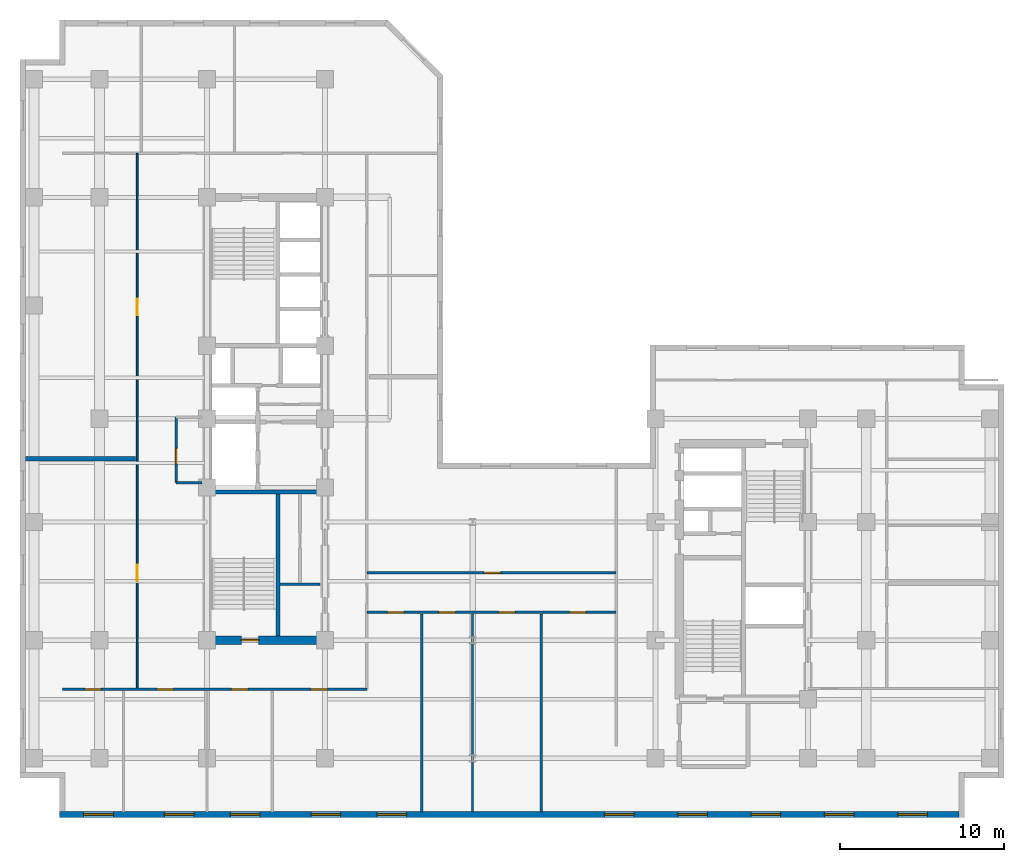
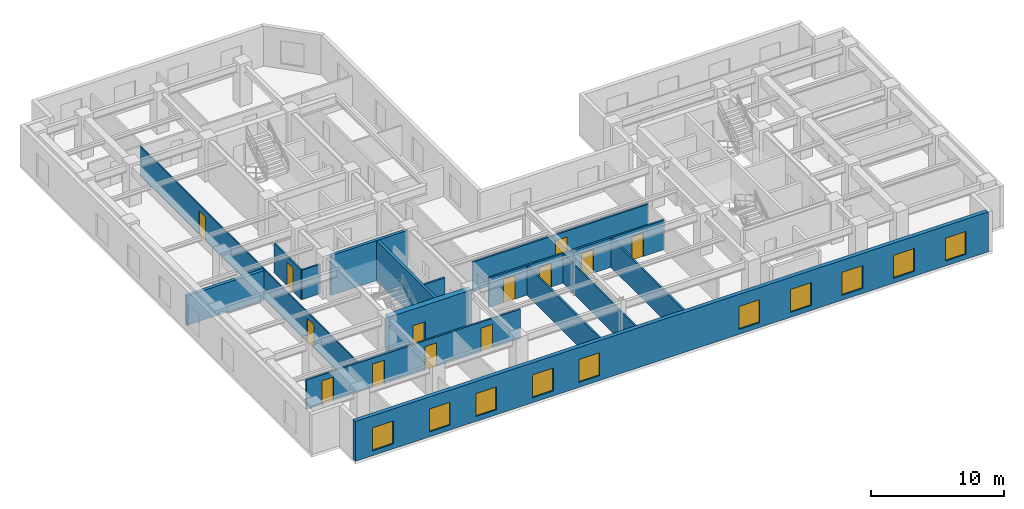
# One storey, part 3 of 10: 15 walls, 13 doors, 10 windows, 23 openings.
"""IFC4 building model written with IfcOpenShell, lengths in metres."""

import ifcopenshell
import ifcopenshell.guid

model = None  # the IFC model being written
_history = None  # IfcOwnerHistory: only IFC2X3 demands one
_inside = {}  # id of a spatial element -> (the spatial element, [elements in it])
_under = {}  # id of a project, library or spatial element -> (it, [spatial elements below it])
_declared = {}  # id of a project -> (the project, [libraries it declares])
_typed = {}  # id of a type object -> (the type object, [elements of that type])
_made_of = {}  # id of a material, layer set ... -> (it, [elements and type objects made of it])


def new_model(schema):
    """Start an empty IFC model of exactly this schema.

    Asked for "IFC4X3", IfcOpenShell would pick the latest addendum, in which some entities
    have other attributes; the version numbers below select the first issue.
    IFC2X3 requires an IfcOwnerHistory on every rooted entity: one is made here for all.
    """
    global model, _history
    if schema == "IFC4X3":
        model = ifcopenshell.file(schema_version=(4, 3, 0, 0))
    else:
        model = ifcopenshell.file(schema=schema)
    _inside.clear()
    _under.clear()
    _declared.clear()
    _typed.clear()
    _made_of.clear()
    _history = None
    if model.schema == "IFC2X3":
        org = make("IfcOrganization", Name="unknown")
        user = make(
            "IfcPersonAndOrganization",
            ThePerson=make("IfcPerson", FamilyName="unknown"),
            TheOrganization=org,
        )
        app = make(
            "IfcApplication",
            ApplicationDeveloper=org,
            Version="unknown",
            ApplicationFullName="unknown",
            ApplicationIdentifier="unknown",
        )
        _history = make(
            "IfcOwnerHistory",
            OwningUser=user,
            OwningApplication=app,
            ChangeAction="ADDED",
            CreationDate=0,
        )
    return model


def make(cls, **values):
    """One entity of the class cls with the attributes given. An attribute that is None is left unset."""
    return model.create_entity(
        cls, **{name: value for name, value in values.items() if value is not None}
    )


def entity(cls, *values):
    """Any entity or typed value of the class cls, its attributes in the order of the schema. None: left unset."""
    e = model.create_entity(cls)
    for i, value in enumerate(values):
        if value is not None:
            e[i] = value
    return e


def rooted(cls, **values):
    """An entity with a GlobalId (a new one), such as an element, a storey or a relation."""
    return make(cls, GlobalId=ifcopenshell.guid.new(), OwnerHistory=_history, **values)


def si_unit(unit_type, name, prefix=None):
    """IfcSIUnit, for example si_unit("LENGTHUNIT", "METRE", prefix="MILLI")."""
    return make("IfcSIUnit", UnitType=unit_type, Prefix=prefix, Name=name)


def converted_unit(unit_type, name, factor, base, dimensions=None, offset=None):
    """IfcConversionBasedUnit, such as the inch: factor (a typed value) times the base unit."""
    return make(
        "IfcConversionBasedUnit"
        if offset is None
        else "IfcConversionBasedUnitWithOffset",
        ConversionOffset=offset,
        Dimensions=None
        if dimensions is None
        else entity("IfcDimensionalExponents", *dimensions),
        UnitType=unit_type,
        Name=name,
        ConversionFactor=make(
            "IfcMeasureWithUnit", ValueComponent=factor, UnitComponent=base
        ),
    )


def assignment(units):
    """IfcUnitAssignment: the units of a project."""
    return None if units is None else make("IfcUnitAssignment", Units=units)


def point(xyz):
    """IfcCartesianPoint."""
    return None if xyz is None else make("IfcCartesianPoint", Coordinates=xyz)


def direction(xyz):
    """IfcDirection."""
    return None if xyz is None else make("IfcDirection", DirectionRatios=xyz)


def frame(location, z_axis=None, x_axis=None):
    """IfcAxis2Placement3D, a coordinate frame: its origin and axes. An axis left out is left unset."""
    return make(
        "IfcAxis2Placement3D",
        Location=point(location),
        Axis=direction(z_axis),
        RefDirection=direction(x_axis),
    )


def frame_2d(location, x_axis=None):
    """IfcAxis2Placement2D, a coordinate frame in the plane: its origin and x axis."""
    return make(
        "IfcAxis2Placement2D", Location=point(location), RefDirection=direction(x_axis)
    )


def origin_with_axes():
    """The frame at (0, 0, 0) with the z axis (0, 0, 1) and the x axis (1, 0, 0) written out."""
    return frame((0.0, 0.0, 0.0), z_axis=(0.0, 0.0, 1.0), x_axis=(1.0, 0.0, 0.0))


def origin_2d_with_axis():
    """The frame at (0, 0) in the plane with the x axis (1, 0) written out."""
    return frame_2d((0.0, 0.0), x_axis=(1.0, 0.0))


def place(relative_to, where):
    """IfcLocalPlacement: puts the frame where relative to a parent placement (None: the world)."""
    return make(
        "IfcLocalPlacement", PlacementRelTo=relative_to, RelativePlacement=where
    )


def context(
    kind, dimensions, precision=None, world=None, true_north=None, identifier=None
):
    """IfcGeometricRepresentationContext, for example the 3D "Model" context."""
    return make(
        "IfcGeometricRepresentationContext",
        ContextIdentifier=identifier,
        ContextType=kind,
        CoordinateSpaceDimension=dimensions,
        Precision=precision,
        WorldCoordinateSystem=world,
        TrueNorth=true_north,
    )


def subcontext(parent, identifier, kind, view, scale=None):
    """IfcGeometricRepresentationSubContext, for example "Body" below "Model"."""
    return make(
        "IfcGeometricRepresentationSubContext",
        ContextIdentifier=identifier,
        ContextType=kind,
        ParentContext=parent,
        TargetScale=scale,
        TargetView=view,
    )


def project(units=None, contexts=None):
    """IfcProject with its units and contexts."""
    return rooted(
        "IfcProject",
        Name="project",
        RepresentationContexts=contexts,
        UnitsInContext=assignment(units),
    )


def spatial(cls, under=None, at=None, **own):
    """A site, building, storey or space (cls), placed at a placement, below another one or the project."""
    s = rooted(cls, ObjectPlacement=at, **own)
    if under is not None:
        _under.setdefault(under.id(), (under, []))[1].append(s)
    return s


def polyline(points):
    """IfcPolyline through the points."""
    return make("IfcPolyline", Points=[point(p) for p in points])


def profile(cls, at=None, kind="AREA", **sizes):
    """A parametric profile (cls). Its sizes go by their IFC names, for example OverallWidth=200.0."""
    return make(cls, ProfileType=kind, Position=at, **sizes)


def rectangle(**sizes):
    """IfcRectangleProfileDef."""
    return profile("IfcRectangleProfileDef", **sizes)


def outline(outer, holes=None, kind="AREA"):
    """IfcArbitraryClosedProfileDef: a profile drawn as a closed curve; with holes, ...WithVoids."""
    if holes is None:
        return make("IfcArbitraryClosedProfileDef", ProfileType=kind, OuterCurve=outer)
    return make(
        "IfcArbitraryProfileDefWithVoids",
        ProfileType=kind,
        OuterCurve=outer,
        InnerCurves=holes,
    )


def extrude(swept, where, along, depth):
    """IfcExtrudedAreaSolid: the profile swept, set in the frame where, extruded along a direction by depth."""
    return make(
        "IfcExtrudedAreaSolid",
        SweptArea=swept,
        Position=where,
        ExtrudedDirection=direction(along),
        Depth=depth,
    )


def shape(context_of_items, identifier, shape_type, items):
    """IfcShapeRepresentation: the items that make up one representation, for example the "Body"."""
    return make(
        "IfcShapeRepresentation",
        ContextOfItems=context_of_items,
        RepresentationIdentifier=identifier,
        RepresentationType=shape_type,
        Items=items,
    )


def material(Name=None, Category=None):
    """IfcMaterial."""
    return make("IfcMaterial", Name=Name, Category=Category)


def layer(
    of_material, thickness, ventilated=None, Name=None, Category=None, Priority=None
):
    """IfcMaterialLayer: one layer of a wall or slab, of a material (None: an air gap)."""
    return make(
        "IfcMaterialLayer",
        Material=of_material,
        LayerThickness=thickness,
        IsVentilated=ventilated,
        Name=Name,
        Category=Category,
        Priority=Priority,
    )


def layer_set(layers, Name=None):
    """IfcMaterialLayerSet."""
    return make("IfcMaterialLayerSet", MaterialLayers=layers, LayerSetName=Name)


def made_of(thing, what):
    """Note that an element or type object is made of a material, layer set ...; save() writes the relation."""
    if what is not None:
        _made_of.setdefault(what.id(), (what, []))[1].append(thing)
    return thing


def type_object(cls, material=None, **own):
    """A type object (cls), such as IfcWallType, which elements share."""
    return made_of(rooted(cls, **own), material)


def element(
    cls,
    number,
    at=None,
    inside=None,
    cuts=None,
    type_object=None,
    material=None,
    context=None,
    identifier="Body",
    shape_type=None,
    held_by="IfcProductDefinitionShape",
    body=None,
    shapes=None,
    **own,
):
    """One element of the class cls, such as IfcWall. Its Tag is "e" and its number.

    at: its placement. inside: the storey or other place that contains it. cuts: it is an
    opening in that element (IfcRelVoidsElement). A single representation is given by context,
    identifier, shape_type and body (its items); several are given by shapes. held_by: the class
    of the entity that holds the representations. save() writes the other relations.
    """
    e = rooted(cls, Tag="e%d" % number, ObjectPlacement=at, **own)
    if body is not None:
        shapes = [shape(context, identifier, shape_type, body)]
    if shapes is not None:
        e.Representation = make(held_by, Representations=shapes)
    if inside is not None:
        _inside.setdefault(inside.id(), (inside, []))[1].append(e)
    if cuts is not None:
        rooted(
            "IfcRelVoidsElement", RelatingBuildingElement=cuts, RelatedOpeningElement=e
        )
    if type_object is not None:
        _typed.setdefault(type_object.id(), (type_object, []))[1].append(e)
    return made_of(e, material)


def fill(opening, filler):
    """IfcRelFillsElement: the door or window that sits in an opening."""
    return rooted(
        "IfcRelFillsElement",
        RelatingOpeningElement=opening,
        RelatedBuildingElement=filler,
    )


def aggregate(whole, parts):
    """IfcRelAggregates: a whole, such as a stair, and the parts it consists of."""
    return rooted("IfcRelAggregates", RelatingObject=whole, RelatedObjects=parts)


def save(model, path):
    """Write the relations noted so far, then the file.

    IfcRelAggregates (storeys below a building ...), IfcRelContainedInSpatialStructure (elements
    in a storey), IfcRelDefinesByType, IfcRelAssociatesMaterial and IfcRelDeclares: one each for
    every whole, place, type object, material and project.
    """
    for whole, parts in _under.values():
        aggregate(whole, parts)
    for where, things in _inside.values():
        rooted(
            "IfcRelContainedInSpatialStructure",
            RelatedElements=things,
            RelatingStructure=where,
        )
    for kind, things in _typed.values():
        rooted("IfcRelDefinesByType", RelatedObjects=things, RelatingType=kind)
    for what, things in _made_of.values():
        rooted("IfcRelAssociatesMaterial", RelatedObjects=things, RelatingMaterial=what)
    for by, libraries in _declared.values():
        rooted("IfcRelDeclares", RelatingContext=by, RelatedDefinitions=libraries)
    model.write(path)


model = new_model("IFC4")

# Units and contexts
model_context = context("Model", 3, precision=1e-05, world=origin_with_axes(), true_north=direction((0.0, 1.0)))
body_context = subcontext(model_context, "Body", "Model", "MODEL_VIEW")
ifc_project = project(units=[si_unit("LENGTHUNIT", "METRE"), si_unit("AREAUNIT", "SQUARE_METRE"), si_unit("VOLUMEUNIT", "CUBIC_METRE"), converted_unit("PLANEANGLEUNIT", "DEGREE", entity("IfcPlaneAngleMeasure", 0.017453292519943295), si_unit("PLANEANGLEUNIT", "RADIAN"), dimensions=[0, 0, 0, 0, 0, 0, 0]), si_unit("MASSUNIT", "GRAM", prefix="KILO"), si_unit("THERMODYNAMICTEMPERATUREUNIT", "KELVIN")], contexts=[model_context])

# Site, building, storey
site_placement = place(None, origin_with_axes())
site = spatial("IfcSite", under=ifc_project, at=site_placement, CompositionType="ELEMENT")
building_placement = place(site_placement, origin_with_axes())
building = spatial("IfcBuilding", under=site, at=building_placement, Name="Varnlund Millrace Tower", CompositionType="ELEMENT")
storey_placement = place(building_placement, frame((0.0, 0.0, 179.7), z_axis=(0.0, 0.0, 1.0), x_axis=(1.0, 0.0, 0.0)))
storey = spatial("IfcBuildingStorey", under=building, at=storey_placement, Name="L44", CompositionType="ELEMENT", Elevation=179.7)

# Wall, opening, door
ifc_material_1 = material(Name="Concrete C70/85", Category="concrete")
ifc_layer_1 = layer(ifc_material_1, 0.5, Name="Concrete C70/85")
ifc_layer_set_1 = layer_set([ifc_layer_1], Name="Concrete C70/85")
wall_type_1 = type_object("IfcWallType", Name="Type-CoreWall-Shear-500-C70", PredefinedType="SHEAR", material=ifc_layer_set_1)
wall_1_placement = place(storey_placement, frame((11.4, 10.8, 0.0), z_axis=(0.0, 0.0, 1.0), x_axis=(1.0, 0.0, 0.0)))
wall_1 = element("IfcWall", 1, at=wall_1_placement, inside=storey, type_object=wall_type_1, Name="Type-CoreWall-Shear-500-C70", PredefinedType="SHEAR", context=body_context, shape_type="SweptSolid", body=[
    extrude(outline(polyline([(0.0, -0.25), (7.2, -0.25), (7.2, 0.25), (0.0, 0.25), (0.0, -0.25)])), origin_with_axes(), (0.0, 0.0, 1.0), 3.66),
])
opening_1_placement = place(wall_1_placement, frame((2.625, 0.0, 0.0), z_axis=(0.0, 0.0, 1.0), x_axis=(1.0, 0.0, 0.0)))
opening_1 = element("IfcOpeningElement", 2, at=opening_1_placement, cuts=wall_1, Name="Opening L44:DR-STA1", PredefinedType="OPENING", context=body_context, shape_type="SweptSolid", body=[
    extrude(rectangle(XDim=1.05, YDim=0.52, at=origin_2d_with_axis()), origin_with_axes(), (0.0, 0.0, 1.0), 2.15),
])
ifc_material_2 = material(Name="Fire-rated hollow steel door", Category="steel")
door_type_1 = type_object("IfcDoorType", Name="Type-FireDoor-Stair-1050X2150", OperationType="NOTDEFINED", PredefinedType="DOOR", material=ifc_material_2)
door_1_placement = place(wall_1_placement, frame((2.625, 0.0, 0.0), z_axis=(0.0, 0.0, 1.0), x_axis=(1.0, 0.0, 0.0)))
door_1 = element("IfcDoor", 3, at=door_1_placement, inside=storey, type_object=door_type_1, Name="Type-FireDoor-Stair-1050X2150", OperationType="SINGLE_SWING_LEFT", OverallHeight=2.15, OverallWidth=1.05, PredefinedType="DOOR", context=body_context, shape_type="SweptSolid", body=[
    extrude(rectangle(XDim=1.05, YDim=0.09, at=origin_2d_with_axis()), origin_with_axes(), (0.0, 0.0, 1.0), 2.15),
])
fill(opening_1, door_1)

# Wall, openings, windows
ifc_material_3 = material(Name="Precast concrete C50/60", Category="concrete")
ifc_layer_2 = layer(ifc_material_3, 0.34, Name="Precast concrete C50/60")
ifc_layer_set_2 = layer_set([ifc_layer_2], Name="Precast concrete C50/60")
wall_type_2 = type_object("IfcWallType", Name="Type-ExtWall-Precast-Upper-340", PredefinedType="SOLIDWALL", material=ifc_layer_set_2)
wall_2_placement = place(storey_placement, frame((57.26, 0.17, 0.0), z_axis=(0.0, 0.0, 1.0), x_axis=(-1.0, 0.0, 0.0)))
wall_2 = element("IfcWall", 4, at=wall_2_placement, inside=storey, type_object=wall_type_2, Name="Type-ExtWall-Precast-Upper-340", PredefinedType="SOLIDWALL", context=body_context, shape_type="SweptSolid", body=[
    extrude(outline(polyline([(0.0, -0.17), (54.86, -0.17), (54.86, 0.17), (0.0, 0.17), (0.0, -0.17)])), origin_with_axes(), (0.0, 0.0, 1.0), 3.66),
])
opening_2_placement = place(wall_2_placement, frame((2.836, 0.0, 0.45), z_axis=(0.0, 0.0, 1.0), x_axis=(1.0, 0.0, 0.0)))
opening_2 = element("IfcOpeningElement", 5, at=opening_2_placement, cuts=wall_2, Name="Opening L44:WN-06", PredefinedType="OPENING", context=body_context, shape_type="SweptSolid", body=[
    extrude(rectangle(XDim=1.8, YDim=0.36, at=origin_2d_with_axis()), origin_with_axes(), (0.0, 0.0, 1.0), 2.1),
])
opening_3_placement = place(wall_2_placement, frame((7.307, 0.0, 0.45), z_axis=(0.0, 0.0, 1.0), x_axis=(1.0, 0.0, 0.0)))
opening_3 = element("IfcOpeningElement", 6, at=opening_3_placement, cuts=wall_2, Name="Opening L44:WN-07", PredefinedType="OPENING", context=body_context, shape_type="SweptSolid", body=[
    extrude(rectangle(XDim=1.8, YDim=0.36, at=origin_2d_with_axis()), origin_with_axes(), (0.0, 0.0, 1.0), 2.1),
])
opening_4_placement = place(wall_2_placement, frame((11.779, 0.0, 0.45), z_axis=(0.0, 0.0, 1.0), x_axis=(1.0, 0.0, 0.0)))
opening_4 = element("IfcOpeningElement", 7, at=opening_4_placement, cuts=wall_2, Name="Opening L44:WN-08", PredefinedType="OPENING", context=body_context, shape_type="SweptSolid", body=[
    extrude(rectangle(XDim=1.8, YDim=0.36, at=origin_2d_with_axis()), origin_with_axes(), (0.0, 0.0, 1.0), 2.1),
])
opening_5_placement = place(wall_2_placement, frame((16.251, 0.0, 0.45), z_axis=(0.0, 0.0, 1.0), x_axis=(1.0, 0.0, 0.0)))
opening_5 = element("IfcOpeningElement", 8, at=opening_5_placement, cuts=wall_2, Name="Opening L44:WN-09", PredefinedType="OPENING", context=body_context, shape_type="SweptSolid", body=[
    extrude(rectangle(XDim=1.8, YDim=0.36, at=origin_2d_with_axis()), origin_with_axes(), (0.0, 0.0, 1.0), 2.1),
])
opening_6_placement = place(wall_2_placement, frame((20.723, 0.0, 0.45), z_axis=(0.0, 0.0, 1.0), x_axis=(1.0, 0.0, 0.0)))
opening_6 = element("IfcOpeningElement", 9, at=opening_6_placement, cuts=wall_2, Name="Opening L44:WN-10", PredefinedType="OPENING", context=body_context, shape_type="SweptSolid", body=[
    extrude(rectangle(XDim=1.8, YDim=0.36, at=origin_2d_with_axis()), origin_with_axes(), (0.0, 0.0, 1.0), 2.1),
])
opening_7_placement = place(wall_2_placement, frame((34.588, 0.0, 0.45), z_axis=(0.0, 0.0, 1.0), x_axis=(1.0, 0.0, 0.0)))
opening_7 = element("IfcOpeningElement", 10, at=opening_7_placement, cuts=wall_2, Name="Opening L44:WN-11", PredefinedType="OPENING", context=body_context, shape_type="SweptSolid", body=[
    extrude(rectangle(XDim=1.8, YDim=0.36, at=origin_2d_with_axis()), origin_with_axes(), (0.0, 0.0, 1.0), 2.1),
])
opening_8_placement = place(wall_2_placement, frame((38.609, 0.0, 0.45), z_axis=(0.0, 0.0, 1.0), x_axis=(1.0, 0.0, 0.0)))
opening_8 = element("IfcOpeningElement", 11, at=opening_8_placement, cuts=wall_2, Name="Opening L44:WN-12", PredefinedType="OPENING", context=body_context, shape_type="SweptSolid", body=[
    extrude(rectangle(XDim=1.8, YDim=0.36, at=origin_2d_with_axis()), origin_with_axes(), (0.0, 0.0, 1.0), 2.1),
])
opening_9_placement = place(wall_2_placement, frame((43.531, 0.0, 0.45), z_axis=(0.0, 0.0, 1.0), x_axis=(1.0, 0.0, 0.0)))
opening_9 = element("IfcOpeningElement", 12, at=opening_9_placement, cuts=wall_2, Name="Opening L44:WN-13", PredefinedType="OPENING", context=body_context, shape_type="SweptSolid", body=[
    extrude(rectangle(XDim=1.8, YDim=0.36, at=origin_2d_with_axis()), origin_with_axes(), (0.0, 0.0, 1.0), 2.1),
])
opening_10_placement = place(wall_2_placement, frame((47.553, 0.0, 0.45), z_axis=(0.0, 0.0, 1.0), x_axis=(1.0, 0.0, 0.0)))
opening_10 = element("IfcOpeningElement", 13, at=opening_10_placement, cuts=wall_2, Name="Opening L44:WN-14", PredefinedType="OPENING", context=body_context, shape_type="SweptSolid", body=[
    extrude(rectangle(XDim=1.8, YDim=0.36, at=origin_2d_with_axis()), origin_with_axes(), (0.0, 0.0, 1.0), 2.1),
])
opening_11_placement = place(wall_2_placement, frame((52.474, 0.0, 0.45), z_axis=(0.0, 0.0, 1.0), x_axis=(1.0, 0.0, 0.0)))
opening_11 = element("IfcOpeningElement", 14, at=opening_11_placement, cuts=wall_2, Name="Opening L44:WN-15", PredefinedType="OPENING", context=body_context, shape_type="SweptSolid", body=[
    extrude(rectangle(XDim=1.8, YDim=0.36, at=origin_2d_with_axis()), origin_with_axes(), (0.0, 0.0, 1.0), 2.1),
])
ifc_material_4 = material(Name="Argon low-e triple glazing in thermally broken bronze frame", Category="glass")
window_type = type_object("IfcWindowType", Name="Type-Window-Punched-1800X2100", PartitioningType="SINGLE_PANEL", PredefinedType="WINDOW", material=ifc_material_4)
window_1_placement = place(wall_2_placement, frame((2.836, 0.0, 0.45), z_axis=(0.0, 0.0, 1.0), x_axis=(1.0, 0.0, 0.0)))
window_1 = element("IfcWindow", 15, at=window_1_placement, inside=storey, type_object=window_type, Name="Type-Window-Punched-1800X2100", OverallHeight=2.1, OverallWidth=1.8, PredefinedType="WINDOW", context=body_context, shape_type="SweptSolid", body=[
    extrude(rectangle(XDim=1.8, YDim=0.09, at=origin_2d_with_axis()), origin_with_axes(), (0.0, 0.0, 1.0), 2.1),
])
fill(opening_2, window_1)
window_2_placement = place(wall_2_placement, frame((7.307, 0.0, 0.45), z_axis=(0.0, 0.0, 1.0), x_axis=(1.0, 0.0, 0.0)))
window_2 = element("IfcWindow", 16, at=window_2_placement, inside=storey, type_object=window_type, Name="Type-Window-Punched-1800X2100", OverallHeight=2.1, OverallWidth=1.8, PredefinedType="WINDOW", context=body_context, shape_type="SweptSolid", body=[
    extrude(rectangle(XDim=1.8, YDim=0.09, at=origin_2d_with_axis()), origin_with_axes(), (0.0, 0.0, 1.0), 2.1),
])
fill(opening_3, window_2)
window_3_placement = place(wall_2_placement, frame((11.779, 0.0, 0.45), z_axis=(0.0, 0.0, 1.0), x_axis=(1.0, 0.0, 0.0)))
window_3 = element("IfcWindow", 17, at=window_3_placement, inside=storey, type_object=window_type, Name="Type-Window-Punched-1800X2100", OverallHeight=2.1, OverallWidth=1.8, PredefinedType="WINDOW", context=body_context, shape_type="SweptSolid", body=[
    extrude(rectangle(XDim=1.8, YDim=0.09, at=origin_2d_with_axis()), origin_with_axes(), (0.0, 0.0, 1.0), 2.1),
])
fill(opening_4, window_3)
window_4_placement = place(wall_2_placement, frame((16.251, 0.0, 0.45), z_axis=(0.0, 0.0, 1.0), x_axis=(1.0, 0.0, 0.0)))
window_4 = element("IfcWindow", 18, at=window_4_placement, inside=storey, type_object=window_type, Name="Type-Window-Punched-1800X2100", OverallHeight=2.1, OverallWidth=1.8, PredefinedType="WINDOW", context=body_context, shape_type="SweptSolid", body=[
    extrude(rectangle(XDim=1.8, YDim=0.09, at=origin_2d_with_axis()), origin_with_axes(), (0.0, 0.0, 1.0), 2.1),
])
fill(opening_5, window_4)
window_5_placement = place(wall_2_placement, frame((20.723, 0.0, 0.45), z_axis=(0.0, 0.0, 1.0), x_axis=(1.0, 0.0, 0.0)))
window_5 = element("IfcWindow", 19, at=window_5_placement, inside=storey, type_object=window_type, Name="Type-Window-Punched-1800X2100", OverallHeight=2.1, OverallWidth=1.8, PredefinedType="WINDOW", context=body_context, shape_type="SweptSolid", body=[
    extrude(rectangle(XDim=1.8, YDim=0.09, at=origin_2d_with_axis()), origin_with_axes(), (0.0, 0.0, 1.0), 2.1),
])
fill(opening_6, window_5)
window_6_placement = place(wall_2_placement, frame((34.588, 0.0, 0.45), z_axis=(0.0, 0.0, 1.0), x_axis=(1.0, 0.0, 0.0)))
window_6 = element("IfcWindow", 20, at=window_6_placement, inside=storey, type_object=window_type, Name="Type-Window-Punched-1800X2100", OverallHeight=2.1, OverallWidth=1.8, PredefinedType="WINDOW", context=body_context, shape_type="SweptSolid", body=[
    extrude(rectangle(XDim=1.8, YDim=0.09, at=origin_2d_with_axis()), origin_with_axes(), (0.0, 0.0, 1.0), 2.1),
])
fill(opening_7, window_6)
window_7_placement = place(wall_2_placement, frame((38.609, 0.0, 0.45), z_axis=(0.0, 0.0, 1.0), x_axis=(1.0, 0.0, 0.0)))
window_7 = element("IfcWindow", 21, at=window_7_placement, inside=storey, type_object=window_type, Name="Type-Window-Punched-1800X2100", OverallHeight=2.1, OverallWidth=1.8, PredefinedType="WINDOW", context=body_context, shape_type="SweptSolid", body=[
    extrude(rectangle(XDim=1.8, YDim=0.09, at=origin_2d_with_axis()), origin_with_axes(), (0.0, 0.0, 1.0), 2.1),
])
fill(opening_8, window_7)
window_8_placement = place(wall_2_placement, frame((43.531, 0.0, 0.45), z_axis=(0.0, 0.0, 1.0), x_axis=(1.0, 0.0, 0.0)))
window_8 = element("IfcWindow", 22, at=window_8_placement, inside=storey, type_object=window_type, Name="Type-Window-Punched-1800X2100", OverallHeight=2.1, OverallWidth=1.8, PredefinedType="WINDOW", context=body_context, shape_type="SweptSolid", body=[
    extrude(rectangle(XDim=1.8, YDim=0.09, at=origin_2d_with_axis()), origin_with_axes(), (0.0, 0.0, 1.0), 2.1),
])
fill(opening_9, window_8)
window_9_placement = place(wall_2_placement, frame((47.553, 0.0, 0.45), z_axis=(0.0, 0.0, 1.0), x_axis=(1.0, 0.0, 0.0)))
window_9 = element("IfcWindow", 23, at=window_9_placement, inside=storey, type_object=window_type, Name="Type-Window-Punched-1800X2100", OverallHeight=2.1, OverallWidth=1.8, PredefinedType="WINDOW", context=body_context, shape_type="SweptSolid", body=[
    extrude(rectangle(XDim=1.8, YDim=0.09, at=origin_2d_with_axis()), origin_with_axes(), (0.0, 0.0, 1.0), 2.1),
])
fill(opening_10, window_9)
window_10_placement = place(wall_2_placement, frame((52.474, 0.0, 0.45), z_axis=(0.0, 0.0, 1.0), x_axis=(1.0, 0.0, 0.0)))
window_10 = element("IfcWindow", 24, at=window_10_placement, inside=storey, type_object=window_type, Name="Type-Window-Punched-1800X2100", OverallHeight=2.1, OverallWidth=1.8, PredefinedType="WINDOW", context=body_context, shape_type="SweptSolid", body=[
    extrude(rectangle(XDim=1.8, YDim=0.09, at=origin_2d_with_axis()), origin_with_axes(), (0.0, 0.0, 1.0), 2.1),
])
fill(opening_11, window_10)

# Walls
ifc_material_5 = material(Name="Double-stud STC-60 conference acoustic partition", Category="gypsum")
ifc_layer_3 = layer(ifc_material_5, 0.28, Name="Double-stud STC-60 conference acoustic partition")
ifc_layer_set_3 = layer_set([ifc_layer_3], Name="Double-stud STC-60 conference acoustic partition")
wall_type_3 = type_object("IfcWallType", Name="Type-Partition-Acoustic-280", PredefinedType="PARTITIONING", material=ifc_layer_set_3)
wall_3_placement = place(storey_placement, frame((0.335, 21.865, 0.0), z_axis=(0.0, 0.0, 1.0), x_axis=(1.0, 0.0, 0.0)))
element("IfcWall", 25, at=wall_3_placement, inside=storey, type_object=wall_type_3, Name="Type-Partition-Acoustic-280", PredefinedType="PARTITIONING", context=body_context, shape_type="SweptSolid", body=[
    extrude(outline(polyline([(0.0, -0.14), (6.695, -0.14), (6.695, 0.14), (0.0, 0.14), (0.0, -0.14)])), origin_with_axes(), (0.0, 0.0, 1.0), 2.7),
])
ifc_material_6 = material(Name="Fire-rated gypsum board on cold-formed steel framing", Category="steel")
ifc_layer_4 = layer(ifc_material_6, 0.16, Name="Fire-rated gypsum board on cold-formed steel framing")
ifc_layer_set_4 = layer_set([ifc_layer_4], Name="Fire-rated gypsum board on cold-formed steel framing")
wall_type_4 = type_object("IfcWallType", Name="Type-Partition-Corridor-160", PredefinedType="PARTITIONING", material=ifc_layer_set_4)
wall_4_placement = place(storey_placement, frame((15.84, 14.2, 0.0), z_axis=(0.0, 0.0, 1.0), x_axis=(1.0, 0.0, 0.0)))
element("IfcWall", 26, at=wall_4_placement, inside=storey, type_object=wall_type_4, Name="Type-Partition-Corridor-160", PredefinedType="PARTITIONING", context=body_context, shape_type="SweptSolid", body=[
    extrude(outline(polyline([(0.0, -0.08), (2.46, -0.08), (2.46, 0.08), (0.0, 0.08), (0.0, -0.08)])), origin_with_axes(), (0.0, 0.0, 1.0), 2.7),
])

# Wall, openings, doors
wall_5_placement = place(storey_placement, frame((2.6, 7.8, 0.0), z_axis=(0.0, 0.0, 1.0), x_axis=(1.0, 0.0, 0.0)))
wall_5 = element("IfcWall", 27, at=wall_5_placement, inside=storey, type_object=wall_type_4, Name="Type-Partition-Corridor-160", PredefinedType="PARTITIONING", context=body_context, shape_type="SweptSolid", body=[
    extrude(outline(polyline([(0.0, -0.08), (18.55, -0.08), (18.55, 0.08), (0.0, 0.08), (0.0, -0.08)])), origin_with_axes(), (0.0, 0.0, 1.0), 2.7),
])
opening_12_placement = place(wall_5_placement, frame((1.8505, 0.0, 0.0), z_axis=(0.0, 0.0, 1.0), x_axis=(1.0, 0.0, 0.0)))
opening_12 = element("IfcOpeningElement", 28, at=opening_12_placement, cuts=wall_5, Name="Opening L44:DR-WAS-01", PredefinedType="OPENING", context=body_context, shape_type="SweptSolid", body=[
    extrude(rectangle(XDim=1.0, YDim=0.18, at=origin_2d_with_axis()), origin_with_axes(), (0.0, 0.0, 1.0), 2.15),
])
opening_13_placement = place(wall_5_placement, frame((6.2555, 0.0, 0.0), z_axis=(0.0, 0.0, 1.0), x_axis=(1.0, 0.0, 0.0)))
opening_13 = element("IfcOpeningElement", 29, at=opening_13_placement, cuts=wall_5, Name="Opening L44:DR-WAS-02", PredefinedType="OPENING", context=body_context, shape_type="SweptSolid", body=[
    extrude(rectangle(XDim=1.0, YDim=0.18, at=origin_2d_with_axis()), origin_with_axes(), (0.0, 0.0, 1.0), 2.15),
])
opening_14_placement = place(wall_5_placement, frame((10.7945, 0.0, 0.0), z_axis=(0.0, 0.0, 1.0), x_axis=(1.0, 0.0, 0.0)))
opening_14 = element("IfcOpeningElement", 30, at=opening_14_placement, cuts=wall_5, Name="Opening L44:DR-WAS-03", PredefinedType="OPENING", context=body_context, shape_type="SweptSolid", body=[
    extrude(rectangle(XDim=1.0, YDim=0.18, at=origin_2d_with_axis()), origin_with_axes(), (0.0, 0.0, 1.0), 2.15),
])
opening_15_placement = place(wall_5_placement, frame((15.6445, 0.0, 0.0), z_axis=(0.0, 0.0, 1.0), x_axis=(1.0, 0.0, 0.0)))
opening_15 = element("IfcOpeningElement", 31, at=opening_15_placement, cuts=wall_5, Name="Opening L44:DR-WAS-04", PredefinedType="OPENING", context=body_context, shape_type="SweptSolid", body=[
    extrude(rectangle(XDim=1.0, YDim=0.18, at=origin_2d_with_axis()), origin_with_axes(), (0.0, 0.0, 1.0), 2.15),
])
ifc_material_7 = material(Name="Solid-core white oak and bronze frame door")
door_type_2 = type_object("IfcDoorType", Name="Type-IntDoor-Office-1000X2150", OperationType="NOTDEFINED", PredefinedType="DOOR", material=ifc_material_7)
door_2_placement = place(wall_5_placement, frame((1.8505, 0.0, 0.0), z_axis=(0.0, 0.0, 1.0), x_axis=(1.0, 0.0, 0.0)))
door_2 = element("IfcDoor", 32, at=door_2_placement, inside=storey, type_object=door_type_2, Name="Type-IntDoor-Office-1000X2150", OperationType="SINGLE_SWING_LEFT", OverallHeight=2.15, OverallWidth=1.0, PredefinedType="DOOR", context=body_context, shape_type="SweptSolid", body=[
    extrude(rectangle(XDim=1.0, YDim=0.09, at=origin_2d_with_axis()), origin_with_axes(), (0.0, 0.0, 1.0), 2.15),
])
fill(opening_12, door_2)
door_3_placement = place(wall_5_placement, frame((6.2555, 0.0, 0.0), z_axis=(0.0, 0.0, 1.0), x_axis=(1.0, 0.0, 0.0)))
door_3 = element("IfcDoor", 33, at=door_3_placement, inside=storey, type_object=door_type_2, Name="Type-IntDoor-Office-1000X2150", OperationType="SINGLE_SWING_RIGHT", OverallHeight=2.15, OverallWidth=1.0, PredefinedType="DOOR", context=body_context, shape_type="SweptSolid", body=[
    extrude(rectangle(XDim=1.0, YDim=0.09, at=origin_2d_with_axis()), origin_with_axes(), (0.0, 0.0, 1.0), 2.15),
])
fill(opening_13, door_3)
door_4_placement = place(wall_5_placement, frame((10.7945, 0.0, 0.0), z_axis=(0.0, 0.0, 1.0), x_axis=(1.0, 0.0, 0.0)))
door_4 = element("IfcDoor", 34, at=door_4_placement, inside=storey, type_object=door_type_2, Name="Type-IntDoor-Office-1000X2150", OperationType="SINGLE_SWING_LEFT", OverallHeight=2.15, OverallWidth=1.0, PredefinedType="DOOR", context=body_context, shape_type="SweptSolid", body=[
    extrude(rectangle(XDim=1.0, YDim=0.09, at=origin_2d_with_axis()), origin_with_axes(), (0.0, 0.0, 1.0), 2.15),
])
fill(opening_14, door_4)
door_5_placement = place(wall_5_placement, frame((15.6445, 0.0, 0.0), z_axis=(0.0, 0.0, 1.0), x_axis=(1.0, 0.0, 0.0)))
door_5 = element("IfcDoor", 35, at=door_5_placement, inside=storey, type_object=door_type_2, Name="Type-IntDoor-Office-1000X2150", OperationType="SINGLE_SWING_RIGHT", OverallHeight=2.15, OverallWidth=1.0, PredefinedType="DOOR", context=body_context, shape_type="SweptSolid", body=[
    extrude(rectangle(XDim=1.0, YDim=0.09, at=origin_2d_with_axis()), origin_with_axes(), (0.0, 0.0, 1.0), 2.15),
])
fill(opening_15, door_5)

wall_6_placement = place(storey_placement, frame((21.15, 12.5, 0.0), z_axis=(0.0, 0.0, 1.0), x_axis=(1.0, 0.0, 0.0)))
wall_6 = element("IfcWall", 36, at=wall_6_placement, inside=storey, type_object=wall_type_4, Name="Type-Partition-Corridor-160", PredefinedType="PARTITIONING", context=body_context, shape_type="SweptSolid", body=[
    extrude(outline(polyline([(0.0, -0.08), (15.2, -0.08), (15.2, 0.08), (0.0, 0.08), (0.0, -0.08)])), origin_with_axes(), (0.0, 0.0, 1.0), 2.7),
])
opening_16_placement = place(wall_6_placement, frame((1.761, 0.0, 0.0), z_axis=(0.0, 0.0, 1.0), x_axis=(1.0, 0.0, 0.0)))
opening_16 = element("IfcOpeningElement", 37, at=opening_16_placement, cuts=wall_6, Name="Opening L44:DR-KNS-01", PredefinedType="OPENING", context=body_context, shape_type="SweptSolid", body=[
    extrude(rectangle(XDim=1.0, YDim=0.18, at=origin_2d_with_axis()), origin_with_axes(), (0.0, 0.0, 1.0), 2.15),
])
opening_17_placement = place(wall_6_placement, frame((4.896, 0.0, 0.0), z_axis=(0.0, 0.0, 1.0), x_axis=(1.0, 0.0, 0.0)))
opening_17 = element("IfcOpeningElement", 38, at=opening_17_placement, cuts=wall_6, Name="Opening L44:DR-KNS-02", PredefinedType="OPENING", context=body_context, shape_type="SweptSolid", body=[
    extrude(rectangle(XDim=1.0, YDim=0.18, at=origin_2d_with_axis()), origin_with_axes(), (0.0, 0.0, 1.0), 2.15),
])
opening_18_placement = place(wall_6_placement, frame((8.536, 0.0, 0.0), z_axis=(0.0, 0.0, 1.0), x_axis=(1.0, 0.0, 0.0)))
opening_18 = element("IfcOpeningElement", 39, at=opening_18_placement, cuts=wall_6, Name="Opening L44:DR-KNS-03", PredefinedType="OPENING", context=body_context, shape_type="SweptSolid", body=[
    extrude(rectangle(XDim=1.0, YDim=0.18, at=origin_2d_with_axis()), origin_with_axes(), (0.0, 0.0, 1.0), 2.15),
])
opening_19_placement = place(wall_6_placement, frame((12.871, 0.0, 0.0), z_axis=(0.0, 0.0, 1.0), x_axis=(1.0, 0.0, 0.0)))
opening_19 = element("IfcOpeningElement", 40, at=opening_19_placement, cuts=wall_6, Name="Opening L44:DR-KNS-04", PredefinedType="OPENING", context=body_context, shape_type="SweptSolid", body=[
    extrude(rectangle(XDim=1.0, YDim=0.18, at=origin_2d_with_axis()), origin_with_axes(), (0.0, 0.0, 1.0), 2.15),
])
door_6_placement = place(wall_6_placement, frame((1.761, 0.0, 0.0), z_axis=(0.0, 0.0, 1.0), x_axis=(1.0, 0.0, 0.0)))
door_6 = element("IfcDoor", 41, at=door_6_placement, inside=storey, type_object=door_type_2, Name="Type-IntDoor-Office-1000X2150", OperationType="SINGLE_SWING_LEFT", OverallHeight=2.15, OverallWidth=1.0, PredefinedType="DOOR", context=body_context, shape_type="SweptSolid", body=[
    extrude(rectangle(XDim=1.0, YDim=0.09, at=origin_2d_with_axis()), origin_with_axes(), (0.0, 0.0, 1.0), 2.15),
])
fill(opening_16, door_6)
door_7_placement = place(wall_6_placement, frame((4.896, 0.0, 0.0), z_axis=(0.0, 0.0, 1.0), x_axis=(1.0, 0.0, 0.0)))
door_7 = element("IfcDoor", 42, at=door_7_placement, inside=storey, type_object=door_type_2, Name="Type-IntDoor-Office-1000X2150", OperationType="SINGLE_SWING_RIGHT", OverallHeight=2.15, OverallWidth=1.0, PredefinedType="DOOR", context=body_context, shape_type="SweptSolid", body=[
    extrude(rectangle(XDim=1.0, YDim=0.09, at=origin_2d_with_axis()), origin_with_axes(), (0.0, 0.0, 1.0), 2.15),
])
fill(opening_17, door_7)
door_8_placement = place(wall_6_placement, frame((8.536, 0.0, 0.0), z_axis=(0.0, 0.0, 1.0), x_axis=(1.0, 0.0, 0.0)))
door_8 = element("IfcDoor", 43, at=door_8_placement, inside=storey, type_object=door_type_2, Name="Type-IntDoor-Office-1000X2150", OperationType="SINGLE_SWING_LEFT", OverallHeight=2.15, OverallWidth=1.0, PredefinedType="DOOR", context=body_context, shape_type="SweptSolid", body=[
    extrude(rectangle(XDim=1.0, YDim=0.09, at=origin_2d_with_axis()), origin_with_axes(), (0.0, 0.0, 1.0), 2.15),
])
fill(opening_18, door_8)
door_9_placement = place(wall_6_placement, frame((12.871, 0.0, 0.0), z_axis=(0.0, 0.0, 1.0), x_axis=(1.0, 0.0, 0.0)))
door_9 = element("IfcDoor", 44, at=door_9_placement, inside=storey, type_object=door_type_2, Name="Type-IntDoor-Office-1000X2150", OperationType="SINGLE_SWING_RIGHT", OverallHeight=2.15, OverallWidth=1.0, PredefinedType="DOOR", context=body_context, shape_type="SweptSolid", body=[
    extrude(rectangle(XDim=1.0, YDim=0.09, at=origin_2d_with_axis()), origin_with_axes(), (0.0, 0.0, 1.0), 2.15),
])
fill(opening_19, door_9)

# Wall, opening, door
wall_7_placement = place(storey_placement, frame((21.15, 14.9, 0.0), z_axis=(0.0, 0.0, 1.0), x_axis=(1.0, 0.0, 0.0)))
wall_7 = element("IfcWall", 45, at=wall_7_placement, inside=storey, type_object=wall_type_4, Name="Type-Partition-Corridor-160", PredefinedType="PARTITIONING", context=body_context, shape_type="SweptSolid", body=[
    extrude(outline(polyline([(0.0, -0.08), (15.2, -0.08), (15.2, 0.08), (0.0, 0.08), (0.0, -0.08)])), origin_with_axes(), (0.0, 0.0, 1.0), 2.7),
])
opening_20_placement = place(wall_7_placement, frame((7.65, 0.0, 0.0), z_axis=(0.0, 0.0, 1.0), x_axis=(1.0, 0.0, 0.0)))
opening_20 = element("IfcOpeningElement", 46, at=opening_20_placement, cuts=wall_7, Name="Opening L44:DR-KN-01", PredefinedType="OPENING", context=body_context, shape_type="SweptSolid", body=[
    extrude(rectangle(XDim=1.0, YDim=0.18, at=origin_2d_with_axis()), origin_with_axes(), (0.0, 0.0, 1.0), 2.15),
])
door_10_placement = place(wall_7_placement, frame((7.65, 0.0, 0.0), z_axis=(0.0, 0.0, 1.0), x_axis=(1.0, 0.0, 0.0)))
door_10 = element("IfcDoor", 47, at=door_10_placement, inside=storey, type_object=door_type_2, Name="Type-IntDoor-Office-1000X2150", OperationType="SINGLE_SWING_LEFT", OverallHeight=2.15, OverallWidth=1.0, PredefinedType="DOOR", context=body_context, shape_type="SweptSolid", body=[
    extrude(rectangle(XDim=1.0, YDim=0.09, at=origin_2d_with_axis()), origin_with_axes(), (0.0, 0.0, 1.0), 2.15),
])
fill(opening_20, door_10)

# Walls
ifc_material_8 = material(Name="Acoustic STC-50 gypsum board partition", Category="gypsum")
ifc_layer_5 = layer(ifc_material_8, 0.15, Name="Acoustic STC-50 gypsum board partition")
ifc_layer_set_5 = layer_set([ifc_layer_5], Name="Acoustic STC-50 gypsum board partition")
wall_type_5 = type_object("IfcWallType", Name="Type-Partition-Demising-150", PredefinedType="PARTITIONING", material=ifc_layer_set_5)
for number, where, z_axis, x_axis, name in (
    (48, (24.492, 0.335, 0.0), (0.0, 0.0, 1.0), (0.0, 1.0, 0.0), "Type-Partition-Demising-150"),
    (49, (31.772, 0.335, 0.0), (0.0, 0.0, 1.0), (0.0, 1.0, 0.0), "Type-Partition-Demising-150"),
):
    element("IfcWall", number, at=place(storey_placement, frame(where, z_axis=z_axis, x_axis=x_axis)), inside=storey, type_object=wall_type_5, Name=name, PredefinedType="PARTITIONING", context=body_context, shape_type="SweptSolid", body=[
        extrude(outline(polyline([(0.0, -0.075), (12.045, -0.075), (12.045, 0.075), (0.0, 0.075), (0.0, -0.075)])), origin_with_axes(), (0.0, 0.0, 1.0), 2.7),
    ])

# Wall, openings, doors
ifc_material_9 = material(Name="Architectural bronze and acoustic glass office front", Category="glass")
ifc_layer_6 = layer(ifc_material_9, 0.1, Name="Architectural bronze and acoustic glass office front")
ifc_layer_set_6 = layer_set([ifc_layer_6], Name="Architectural bronze and acoustic glass office front")
wall_type_6 = type_object("IfcWallType", Name="Type-Partition-Glazed-100", PredefinedType="PARTITIONING", material=ifc_layer_set_6)
wall_8_placement = place(storey_placement, frame((7.15, 7.8, 0.0), z_axis=(0.0, 0.0, 1.0), x_axis=(0.0, 1.0, 0.0)))
wall_8 = element("IfcWall", 50, at=wall_8_placement, inside=storey, type_object=wall_type_6, Name="Type-Partition-Glazed-100", PredefinedType="PARTITIONING", context=body_context, shape_type="SweptSolid", body=[
    extrude(outline(polyline([(0.0, -0.05), (32.7, -0.05), (32.7, 0.05), (0.0, 0.05), (0.0, -0.05)])), origin_with_axes(), (0.0, 0.0, 1.0), 2.7),
])
opening_21_placement = place(wall_8_placement, frame((7.0975, 0.0, 0.0), z_axis=(0.0, 0.0, 1.0), x_axis=(1.0, 0.0, 0.0)))
opening_21 = element("IfcOpeningElement", 51, at=opening_21_placement, cuts=wall_8, Name="Opening L44:DR-W-01", PredefinedType="OPENING", context=body_context, shape_type="SweptSolid", body=[
    extrude(rectangle(XDim=1.0, YDim=0.12, at=origin_2d_with_axis()), origin_with_axes(), (0.0, 0.0, 1.0), 2.15),
])
opening_22_placement = place(wall_8_placement, frame((23.3175, 0.0, 0.0), z_axis=(0.0, 0.0, 1.0), x_axis=(1.0, 0.0, 0.0)))
opening_22 = element("IfcOpeningElement", 52, at=opening_22_placement, cuts=wall_8, Name="Opening L44:DR-W-02", PredefinedType="OPENING", context=body_context, shape_type="SweptSolid", body=[
    extrude(rectangle(XDim=1.0, YDim=0.12, at=origin_2d_with_axis()), origin_with_axes(), (0.0, 0.0, 1.0), 2.15),
])
door_11_placement = place(wall_8_placement, frame((7.0975, 0.0, 0.0), z_axis=(0.0, 0.0, 1.0), x_axis=(1.0, 0.0, 0.0)))
door_11 = element("IfcDoor", 53, at=door_11_placement, inside=storey, type_object=door_type_2, Name="Type-IntDoor-Office-1000X2150", OperationType="SINGLE_SWING_LEFT", OverallHeight=2.15, OverallWidth=1.0, PredefinedType="DOOR", context=body_context, shape_type="SweptSolid", body=[
    extrude(rectangle(XDim=1.0, YDim=0.06, at=origin_2d_with_axis()), origin_with_axes(), (0.0, 0.0, 1.0), 2.15),
])
fill(opening_21, door_11)
door_12_placement = place(wall_8_placement, frame((23.3175, 0.0, 0.0), z_axis=(0.0, 0.0, 1.0), x_axis=(1.0, 0.0, 0.0)))
door_12 = element("IfcDoor", 54, at=door_12_placement, inside=storey, type_object=door_type_2, Name="Type-IntDoor-Office-1000X2150", OperationType="SINGLE_SWING_RIGHT", OverallHeight=2.15, OverallWidth=1.0, PredefinedType="DOOR", context=body_context, shape_type="SweptSolid", body=[
    extrude(rectangle(XDim=1.0, YDim=0.06, at=origin_2d_with_axis()), origin_with_axes(), (0.0, 0.0, 1.0), 2.15),
])
fill(opening_22, door_12)

# Wall
ifc_material_10 = material(Name="Gypsum board tenant partition", Category="gypsum")
ifc_layer_7 = layer(ifc_material_10, 0.125, Name="Gypsum board tenant partition")
ifc_layer_set_7 = layer_set([ifc_layer_7], Name="Gypsum board tenant partition")
wall_type_7 = type_object("IfcWallType", Name="Type-Partition-Tenant-125", PredefinedType="PARTITIONING", material=ifc_layer_set_7)
wall_9_placement = place(storey_placement, frame((27.6, 0.335, 0.0), z_axis=(0.0, 0.0, 1.0), x_axis=(0.0, 1.0, 0.0)))
element("IfcWall", 55, at=wall_9_placement, inside=storey, type_object=wall_type_7, Name="Type-Partition-Tenant-125", PredefinedType="PARTITIONING", context=body_context, shape_type="SweptSolid", body=[
    extrude(outline(polyline([(0.0, -0.0625), (12.045, -0.0625), (12.045, 0.0625), (0.0, 0.0625), (0.0, -0.0625)])), origin_with_axes(), (0.0, 0.0, 1.0), 2.7),
])

# Wall, opening, door
ifc_material_11 = material(Name="Moisture-resistant gypsum restroom partition", Category="gypsum")
ifc_layer_8 = layer(ifc_material_11, 0.14, Name="Moisture-resistant gypsum restroom partition")
ifc_layer_set_8 = layer_set([ifc_layer_8], Name="Moisture-resistant gypsum restroom partition")
wall_type_8 = type_object("IfcWallType", Name="Type-Partition-Wet-140", PredefinedType="PARTITIONING", material=ifc_layer_set_8)
wall_10_placement = place(storey_placement, frame((9.52, 20.4, 0.0), z_axis=(0.0, 0.0, 1.0), x_axis=(0.0, 1.0, 0.0)))
wall_10 = element("IfcWall", 56, at=wall_10_placement, inside=storey, type_object=wall_type_8, Name="Type-Partition-Wet-140", PredefinedType="PARTITIONING", context=body_context, shape_type="SweptSolid", body=[
    extrude(outline(polyline([(0.0, -0.07), (4.0, -0.07), (4.0, 0.07), (0.0, 0.07), (0.0, -0.07)])), origin_with_axes(), (0.0, 0.0, 1.0), 2.7),
])
opening_23_placement = place(wall_10_placement, frame((1.625, 0.0, 0.0), z_axis=(0.0, 0.0, 1.0), x_axis=(1.0, 0.0, 0.0)))
opening_23 = element("IfcOpeningElement", 57, at=opening_23_placement, cuts=wall_10, Name="Opening L44:DR-CA-WCW", PredefinedType="OPENING", context=body_context, shape_type="SweptSolid", body=[
    extrude(rectangle(XDim=0.95, YDim=0.16, at=origin_2d_with_axis()), origin_with_axes(), (0.0, 0.0, 1.0), 2.15),
])
ifc_material_12 = material(Name="Solid-core acoustic office door")
door_type_3 = type_object("IfcDoorType", Name="Type-IntDoor-Tenant-950X2150", OperationType="NOTDEFINED", PredefinedType="DOOR", material=ifc_material_12)
door_13_placement = place(wall_10_placement, frame((1.625, 0.0, 0.0), z_axis=(0.0, 0.0, 1.0), x_axis=(1.0, 0.0, 0.0)))
door_13 = element("IfcDoor", 58, at=door_13_placement, inside=storey, type_object=door_type_3, Name="Type-IntDoor-Tenant-950X2150", OperationType="SINGLE_SWING_LEFT", OverallHeight=2.15, OverallWidth=0.95, PredefinedType="DOOR", context=body_context, shape_type="SweptSolid", body=[
    extrude(rectangle(XDim=0.95, YDim=0.084, at=origin_2d_with_axis()), origin_with_axes(), (0.0, 0.0, 1.0), 2.15),
])
fill(opening_23, door_13)

# Walls
wall_11_placement = place(storey_placement, frame((9.52, 20.4, 0.0), z_axis=(0.0, 0.0, 1.0), x_axis=(1.0, 0.0, 0.0)))
element("IfcWall", 59, at=wall_11_placement, inside=storey, type_object=wall_type_8, Name="Type-Partition-Wet-140", PredefinedType="PARTITIONING", context=body_context, shape_type="SweptSolid", body=[
    extrude(outline(polyline([(0.0, -0.07), (1.58, -0.07), (1.58, 0.07), (0.0, 0.07), (0.0, -0.07)])), origin_with_axes(), (0.0, 0.0, 1.0), 2.7),
])
ifc_material_13 = material(Name="Concrete C60/75", Category="concrete")
ifc_layer_9 = layer(ifc_material_13, 0.25, Name="Concrete C60/75")
ifc_layer_set_9 = layer_set([ifc_layer_9], Name="Concrete C60/75")
wall_type_9 = type_object("IfcWallType", Name="Type-StairWall-Shear-250", PredefinedType="SHEAR", material=ifc_layer_set_9)
wall_12_placement = place(storey_placement, frame((15.725, 11.05, 0.0), z_axis=(0.0, 0.0, 1.0), x_axis=(0.0, 1.0, 0.0)))
element("IfcWall", 60, at=wall_12_placement, inside=storey, type_object=wall_type_9, Name="Type-StairWall-Shear-250", PredefinedType="SHEAR", context=body_context, shape_type="SweptSolid", body=[
    extrude(outline(polyline([(0.0, -0.125), (8.65, -0.125), (8.65, 0.125), (0.0, 0.125), (0.0, -0.125)])), origin_with_axes(), (0.0, 0.0, 1.0), 3.66),
])
wall_13_placement = place(storey_placement, frame((11.65, 19.825, 0.0), z_axis=(0.0, 0.0, 1.0), x_axis=(1.0, 0.0, 0.0)))
element("IfcWall", 61, at=wall_13_placement, inside=storey, type_object=wall_type_9, Name="Type-StairWall-Shear-250", PredefinedType="SHEAR", context=body_context, shape_type="SweptSolid", body=[
    extrude(outline(polyline([(0.0, -0.125), (6.7, -0.125), (6.7, 0.125), (0.0, 0.125), (0.0, -0.125)])), origin_with_axes(), (0.0, 0.0, 1.0), 3.66),
])

save(model, "model.ifc")
